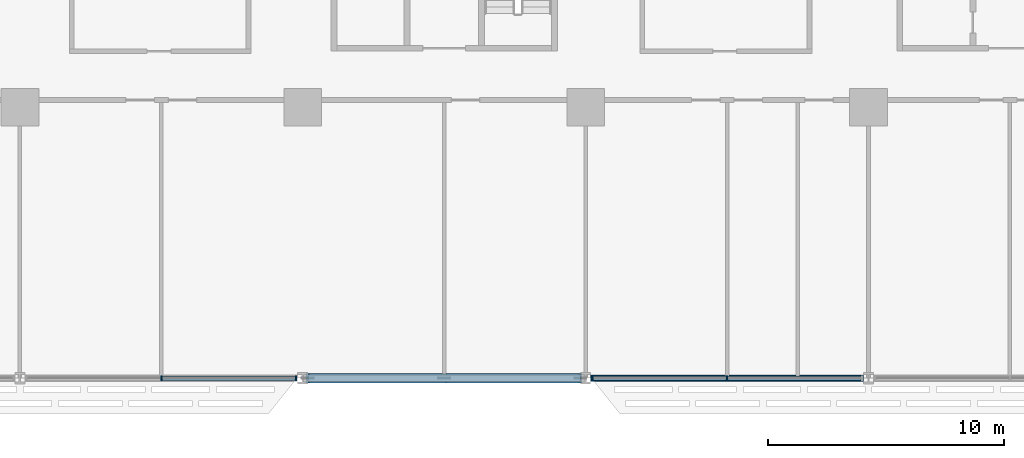
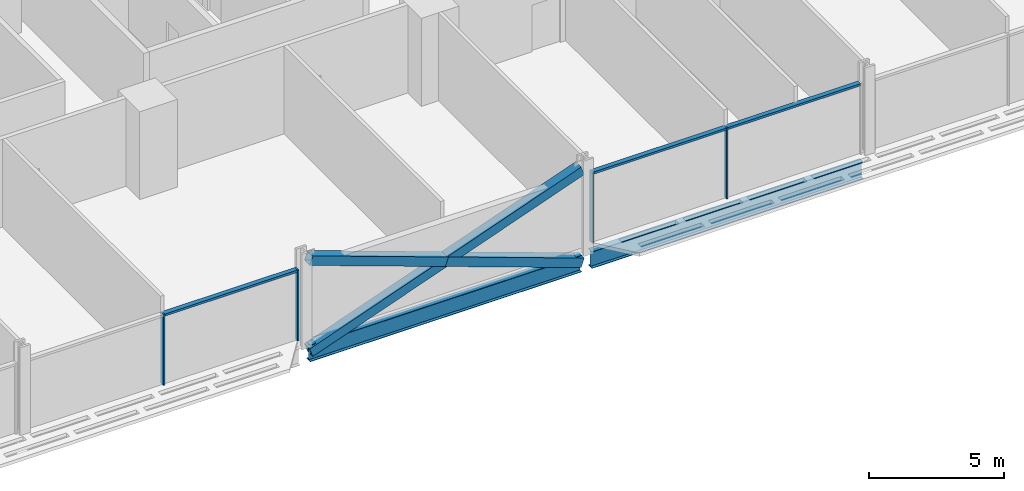
# One storey, part 4 of 29: 10 members, 2 beams, 2 elements without a shape of their own.
"""IFC4 building model written with IfcOpenShell, lengths in metres."""

from ifc_helpers import new_model, si_unit, direction, frame, origin, origin_2d, place, context, subcontext, project, spatial, rectangle, hollow_rectangle, i_section, extrude, material, material_profile, profile_set, type_object, element, aggregate, save


model = new_model("IFC4")

# Units and contexts
model_context = context("Model", 3, precision=1e-05, world=origin(), true_north=direction((0.0, 1.0)))
body_context = subcontext(model_context, "Body", "Model", "MODEL_VIEW")
ifc_project = project(units=[si_unit("LENGTHUNIT", "METRE"), si_unit("AREAUNIT", "SQUARE_METRE"), si_unit("VOLUMEUNIT", "CUBIC_METRE"), si_unit("PLANEANGLEUNIT", "RADIAN"), si_unit("MASSUNIT", "GRAM", prefix="KILO")], contexts=[model_context])

# Site, building, storey
site_placement = place(None, origin())
site = spatial("IfcSite", under=ifc_project, at=site_placement, CompositionType="ELEMENT")
building_placement = place(site_placement, origin())
building = spatial("IfcBuilding", under=site, at=building_placement, Name="Mahtab Terrace Research Tower", CompositionType="ELEMENT")
storey_placement = place(building_placement, frame((0.0, 0.0, 20.10009765625)))
storey = spatial("IfcBuildingStorey", under=building, at=storey_placement, Name="L04", CompositionType="ELEMENT", Elevation=20.10009765625)

# Members
ifc_material_1 = material(Name="Steel ASTM A500 Gr C", Category="steel")
ifc_material_profile_1 = material_profile(ifc_material_1, hollow_rectangle(XDim=0.406494140625, YDim=0.406494140625, WallThickness=0.01904296875, at=origin_2d()), Name="HSS16X16X3/4")
ifc_profile_set_1 = profile_set([ifc_material_profile_1], Name="Steel ASTM A500 Gr C")
member_type_1 = type_object("IfcMemberType", Name="HSS 16x16x3/4 brace XB161634", PredefinedType="BRACE", material=ifc_profile_set_1)
member_1_placement = place(storey_placement, frame((-5.7841796875, -23.0, -0.64111328125), z_axis=(0.941388097231, 0.0, 0.337325436917), x_axis=(0.0, 1.0, 0.0)))
element("IfcMember", 1, at=member_1_placement, inside=storey, type_object=member_type_1, Name="Exoskeleton brace L04 15 a", PredefinedType="BRACE", context=body_context, shape_type="SweptSolid", body=[
    extrude(hollow_rectangle(XDim=0.406494140625, YDim=0.406494140625, WallThickness=0.01904296875, at=origin_2d()), origin(), (0.0, 0.0, 1.0), 12.28857421875),
])
for number, where, z_axis, x_axis, name in (
    (2, (5.7841796875, -23.0, -0.64111328125), (-0.941394406025, 0.0, 0.337307830185), (0.0, -1.0, 0.0), "Exoskeleton brace L04 15 b1"),
    (3, (0.0, -23.0, 1.431396484375), (-0.941381788192, 0.0, 0.337343043295), (0.0, -1.0, 0.0), "Exoskeleton brace L04 15 b2"),
):
    element("IfcMember", number, at=place(storey_placement, frame(where, z_axis=z_axis, x_axis=x_axis)), inside=storey, type_object=member_type_1, Name=name, PredefinedType="BRACE", context=body_context, shape_type="SweptSolid", body=[
        extrude(hollow_rectangle(XDim=0.406494140625, YDim=0.406494140625, WallThickness=0.01904296875, at=origin_2d()), origin(), (0.0, 0.0, 1.0), 6.144287109375),
    ])

# Curtain wall, members
ifc_material_2 = material(Name="Laboratory ribbon curtain wall")
curtain_wall_type = type_object("IfcCurtainWallType", Name="Laboratory ribbon curtain wall", PredefinedType="NOTDEFINED", material=ifc_material_2)
curtain_wall_1_placement = place(storey_placement, origin())
curtain_wall_1 = element("IfcCurtainWall", 4, at=curtain_wall_1_placement, inside=storey, type_object=curtain_wall_type, Name="EN.L04.13.24", PredefinedType="NOTDEFINED")
ifc_material_3 = material(Name="Natural anodised aluminium", Category="aluminium")
ifc_material_profile_2 = material_profile(ifc_material_3, rectangle(XDim=0.199951171875, YDim=0.06494140625, at=origin_2d()), Name="MULLION 65x200")
ifc_profile_set_2 = profile_set([ifc_material_profile_2], Name="Natural anodised aluminium")
member_type_2 = type_object("IfcMemberType", Name="Laboratory ribbon curtain wall mullion", PredefinedType="MULLION", material=ifc_profile_set_2)
member_2_placement = place(storey_placement, frame((-12.0, -23.0, 0.0), z_axis=(0.0, 0.0, 1.0), x_axis=(0.0, 1.0, 0.0)))
member_2 = element("IfcMember", 5, at=member_2_placement, type_object=member_type_2, Name="CWL-1 mullion 2", PredefinedType="MULLION", context=body_context, shape_type="SweptSolid", body=[
    extrude(rectangle(XDim=0.199951171875, YDim=0.06494140625, at=origin_2d()), origin(), (0.0, 0.0, 1.0), 3.202880859375),
])
member_3_placement = place(storey_placement, frame((-6.281494140625, -23.0, 0.0), z_axis=(0.0, 0.0, 1.0), x_axis=(0.0, 1.0, 0.0)))
member_3 = element("IfcMember", 6, at=member_3_placement, type_object=member_type_2, Name="CWL-1 mullion 3", PredefinedType="MULLION", context=body_context, shape_type="SweptSolid", body=[
    extrude(rectangle(XDim=0.199951171875, YDim=0.06494140625, at=origin_2d()), origin(), (0.0, 0.0, 1.0), 3.202880859375),
])

curtain_wall_2_placement = place(storey_placement, origin())
curtain_wall_2 = element("IfcCurtainWall", 7, at=curtain_wall_2_placement, inside=storey, type_object=curtain_wall_type, Name="EN.L04.13.26", PredefinedType="NOTDEFINED")
member_4_placement = place(storey_placement, frame((6.281494140625, -23.0, 0.0), z_axis=(0.0, 0.0, 1.0), x_axis=(0.0, 1.0, 0.0)))
member_4 = element("IfcMember", 8, at=member_4_placement, type_object=member_type_2, Name="CWL-1 mullion 1", PredefinedType="MULLION", context=body_context, shape_type="SweptSolid", body=[
    extrude(rectangle(XDim=0.199951171875, YDim=0.06494140625, at=origin_2d()), origin(), (0.0, 0.0, 1.0), 3.202880859375),
])
member_5_placement = place(storey_placement, frame((12.0, -23.0, 0.0), z_axis=(0.0, 0.0, 1.0), x_axis=(0.0, 1.0, 0.0)))
member_5 = element("IfcMember", 9, at=member_5_placement, type_object=member_type_2, Name="CWL-1 mullion 2", PredefinedType="MULLION", context=body_context, shape_type="SweptSolid", body=[
    extrude(rectangle(XDim=0.199951171875, YDim=0.06494140625, at=origin_2d()), origin(), (0.0, 0.0, 1.0), 3.202880859375),
])

# Member
ifc_material_profile_3 = material_profile(ifc_material_3, rectangle(XDim=0.199951171875, YDim=0.10009765625, at=origin_2d()), Name="TRANSOM 100x200")
ifc_profile_set_3 = profile_set([ifc_material_profile_3], Name="Natural anodised aluminium")
member_type_3 = type_object("IfcMemberType", Name="Laboratory ribbon curtain wall transom", PredefinedType="USERDEFINED", material=ifc_profile_set_3)
member_6_placement = place(storey_placement, frame((-11.967529296875, -23.0, 3.153076171875), z_axis=(1.0, 0.0, 0.0), x_axis=(0.0, 1.0, 0.0)))
member_6 = element("IfcMember", 10, at=member_6_placement, type_object=member_type_3, Name="CWL-1 transom 2", ObjectType="TRANSOM", PredefinedType="USERDEFINED", context=body_context, shape_type="SweptSolid", body=[
    extrude(rectangle(XDim=0.199951171875, YDim=0.10009765625, at=origin_2d()), origin(), (0.0, 0.0, 1.0), 5.653564453125),
])

aggregate(curtain_wall_1, [member_2, member_3, member_6])

member_7_placement = place(storey_placement, frame((6.31396484375, -23.0, 3.153076171875), z_axis=(1.0, 0.0, 0.0), x_axis=(0.0, 1.0, 0.0)))
member_7 = element("IfcMember", 11, at=member_7_placement, type_object=member_type_3, Name="CWL-1 transom 1", ObjectType="TRANSOM", PredefinedType="USERDEFINED", context=body_context, shape_type="SweptSolid", body=[
    extrude(rectangle(XDim=0.199951171875, YDim=0.10009765625, at=origin_2d()), origin(), (0.0, 0.0, 1.0), 5.653564453125),
])

member_8_placement = place(storey_placement, frame((12.032470703125, -23.0, 3.153076171875), z_axis=(1.0, 0.0, 0.0), x_axis=(0.0, 1.0, 0.0)))
member_8 = element("IfcMember", 12, at=member_8_placement, type_object=member_type_3, Name="CWL-1 transom 2", ObjectType="TRANSOM", PredefinedType="USERDEFINED", context=body_context, shape_type="SweptSolid", body=[
    extrude(rectangle(XDim=0.199951171875, YDim=0.10009765625, at=origin_2d()), origin(), (0.0, 0.0, 1.0), 5.653564453125),
])

aggregate(curtain_wall_2, [member_4, member_5, member_7, member_8])

# Beams
ifc_material_4 = material(Name="Steel ASTM A992 Gr 50", Category="steel")
ifc_material_profile_4 = material_profile(ifc_material_4, i_section(OverallWidth=0.2666015625, OverallDepth=0.7568359375, WebThickness=0.013916015625, FlangeThickness=0.019287109375, at=origin_2d()), Name="W30X108")
ifc_profile_set_4 = profile_set([ifc_material_profile_4], Name="Steel ASTM A992 Gr 50")
beam_type = type_object("IfcBeamType", Name="W30x108 beam BS30108", PredefinedType="BEAM", material=ifc_profile_set_4)
for number, where, z_axis, x_axis, name in (
    (13, (-5.7841796875, -23.0, -0.718505859375), (1.0, 0.0, 0.0), (0.0, 1.0, 0.0), "Spandrel beam L04 15"),
    (14, (6.2158203125, -23.0, -0.718505859375), (1.0, 0.0, 0.0), (0.0, 1.0, 0.0), "Spandrel beam L04 16"),
):
    element("IfcBeam", number, at=place(storey_placement, frame(where, z_axis=z_axis, x_axis=x_axis)), inside=storey, type_object=beam_type, Name=name, PredefinedType="BEAM", context=body_context, shape_type="SweptSolid", body=[
        extrude(i_section(OverallWidth=0.2666015625, OverallDepth=0.7568359375, WebThickness=0.013916015625, FlangeThickness=0.019287109375, at=origin_2d()), origin(), (0.0, 0.0, 1.0), 11.568359375),
    ])

save(model, "model.ifc")
